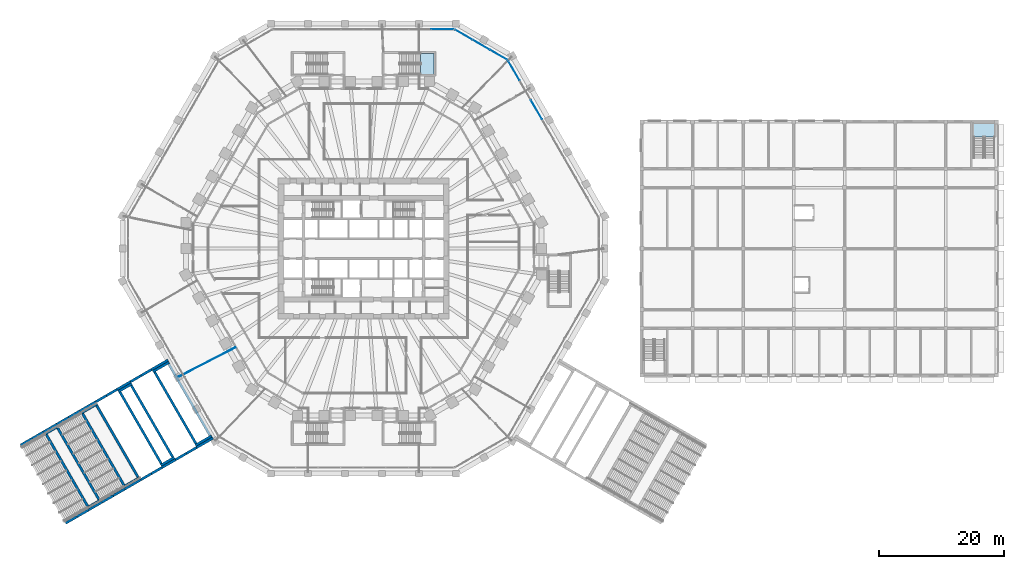
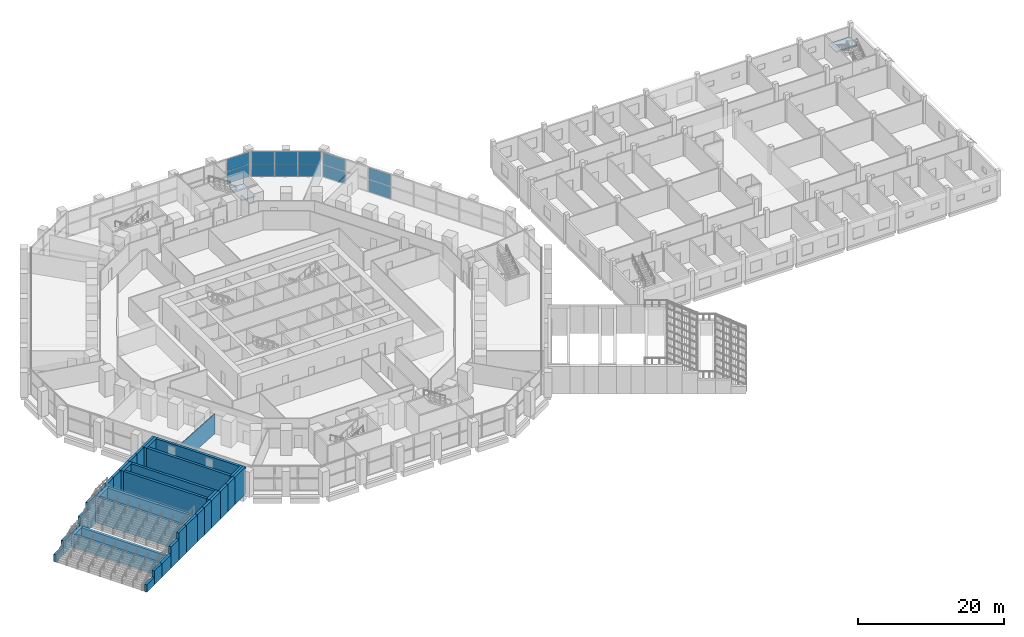
# One storey, part 18 of 38: 41 walls, 12 plates, 2 slabs, 5 elements without a shape of their own.
"""IFC4 building model written with IfcOpenShell, lengths in metres."""

from ifc_helpers import new_model, si_unit, direction, frame, frame_2d, origin, origin_2d, place, context, subcontext, project, spatial, polyline, rectangle, outline, extrude, material, layer, layer_set, type_object, element, aggregate, save


model = new_model("IFC4")

# Units and contexts
model_context = context("Model", 3, precision=1e-05, world=origin(), true_north=direction((0.0, 1.0)))
body_context = subcontext(model_context, "Body", "Model", "MODEL_VIEW")
ifc_project = project(units=[si_unit("LENGTHUNIT", "METRE"), si_unit("AREAUNIT", "SQUARE_METRE"), si_unit("VOLUMEUNIT", "CUBIC_METRE"), si_unit("PLANEANGLEUNIT", "RADIAN"), si_unit("MASSUNIT", "GRAM", prefix="KILO")], contexts=[model_context])

# Site, building, storey
site_placement = place(None, origin())
site = spatial("IfcSite", under=ifc_project, at=site_placement, CompositionType="ELEMENT")
building_placement = place(site_placement, origin())
building = spatial("IfcBuilding", under=site, at=building_placement, Name="Frailejon Research Tower", CompositionType="ELEMENT")
storey_placement = place(building_placement, frame((0.0, 0.0, 5.60009765625)))
storey = spatial("IfcBuildingStorey", under=building, at=storey_placement, Name="L01", CompositionType="ELEMENT", Elevation=5.60009765625)

# Stair, slab
ifc_material_1 = material(Name="Concrete C35/45", Category="concrete")
stair_type_1 = type_object("IfcStairType", Name="HC stair", PredefinedType="HALF_TURN_STAIR", material=ifc_material_1)
stair_1_placement = place(storey_placement, origin())
stair_1 = element("IfcStair", 1, at=stair_1_placement, inside=storey, type_object=stair_type_1, Name="L01 HC stair B", PredefinedType="HALF_TURN_STAIR")
ifc_material_2 = material(Name="Concrete C35/45", Category="concrete")
ifc_layer_1 = layer(ifc_material_2, 0.199951171875)
ifc_layer_set_1 = layer_set([ifc_layer_1], Name="HC stair landing")
slab_type_1 = type_object("IfcSlabType", Name="HC stair landing", PredefinedType="LANDING", material=ifc_layer_set_1)
slab_1_placement = place(storey_placement, frame((0.0, 0.0, 2.099853515625)))
slab_1 = element("IfcSlab", 2, at=slab_1_placement, type_object=slab_type_1, Name="HS-B landing 1", PredefinedType="LANDING", context=body_context, shape_type="SweptSolid", body=[
    extrude(outline(polyline([(100.89990234375, 17.860107421875), (100.89990234375, 20.02001953125), (97.550048828125, 20.02001953125), (97.550048828125, 17.860107421875), (100.89990234375, 17.860107421875)])), origin(), (0.0, 0.0, 1.0), 0.199951171875),
])
aggregate(stair_1, [slab_1])

# Curtain wall, plates
ifc_material_3 = material(Name="Aluminium curtain wall", Category="aluminium")
curtain_wall_type = type_object("IfcCurtainWallType", Name="Podium stick curtain wall system", PredefinedType="NOTDEFINED", material=ifc_material_3)
curtain_wall_1_placement = place(storey_placement, origin())
curtain_wall_1 = element("IfcCurtainWall", 3, at=curtain_wall_1_placement, inside=storey, type_object=curtain_wall_type, Name="Curtain wall L01", PredefinedType="NOTDEFINED")
ifc_material_4 = material(Name="Clear laminated glass", Category="glass")
ifc_layer_2 = layer(ifc_material_4, 0.031982421875)
ifc_layer_set_2 = layer_set([ifc_layer_2], Name="Podium stick curtain wall glass panel 32")
plate_type = type_object("IfcPlateType", Name="Podium stick curtain wall glass panel 32", PredefinedType="CURTAIN_PANEL", material=ifc_layer_set_2)
plate_1_placement = place(storey_placement, frame((27.648681640625, 22.211181640625, 0.059814453125), z_axis=(0.0, 0.0, 1.0), x_axis=(-0.499998396888, 0.86602632934, 0.0)))
plate_1 = element("IfcPlate", 4, at=plate_1_placement, type_object=plate_type, Name="CW2-022 panel 6.1", PredefinedType="CURTAIN_PANEL", context=body_context, shape_type="SweptSolid", body=[
    extrude(rectangle(XDim=3.547607421875, YDim=0.031982421875, at=origin_2d()), origin(), (0.0, 0.0, 1.0), 2.06005859375),
])
plate_2_placement = place(storey_placement, frame((27.648681640625, 22.211181640625, 2.1796875), z_axis=(0.0, 0.0, 1.0), x_axis=(-0.499998396888, 0.86602632934, 0.0)))
plate_2 = element("IfcPlate", 5, at=plate_2_placement, type_object=plate_type, Name="CW2-022 panel 6.2", PredefinedType="CURTAIN_PANEL", context=body_context, shape_type="SweptSolid", body=[
    extrude(rectangle(XDim=3.547607421875, YDim=0.031982421875, at=origin_2d()), origin(), (0.0, 0.0, 1.0), 2.010009765625),
])
plate_3_placement = place(storey_placement, frame((24.048583984375, 28.44677734375, 0.059814453125), z_axis=(0.0, 0.0, 1.0), x_axis=(-0.499998396888, 0.86602632934, 0.0)))
plate_3 = element("IfcPlate", 6, at=plate_3_placement, type_object=plate_type, Name="CW2-022 panel 8.1", PredefinedType="CURTAIN_PANEL", context=body_context, shape_type="SweptSolid", body=[
    extrude(rectangle(XDim=3.517578125, YDim=0.031982421875, at=origin_2d()), origin(), (0.0, 0.0, 1.0), 2.06005859375),
])
plate_4_placement = place(storey_placement, frame((24.048583984375, 28.44677734375, 2.1796875), z_axis=(0.0, 0.0, 1.0), x_axis=(-0.499998396888, 0.86602632934, 0.0)))
plate_4 = element("IfcPlate", 7, at=plate_4_placement, type_object=plate_type, Name="CW2-022 panel 8.2", PredefinedType="CURTAIN_PANEL", context=body_context, shape_type="SweptSolid", body=[
    extrude(rectangle(XDim=3.517578125, YDim=0.031982421875, at=origin_2d()), origin(), (0.0, 0.0, 1.0), 2.010009765625),
])
aggregate(curtain_wall_1, [plate_1, plate_2, plate_3, plate_4])

curtain_wall_2_placement = place(storey_placement, origin())
curtain_wall_2 = element("IfcCurtainWall", 8, at=curtain_wall_2_placement, inside=storey, type_object=curtain_wall_type, Name="Curtain wall L01", PredefinedType="NOTDEFINED")
plate_5_placement = place(storey_placement, frame((21.592041015625, 30.972900390625, 0.059814453125), z_axis=(0.0, 0.0, 1.0), x_axis=(-0.866025476338, 0.499999874334, 0.0)))
plate_5 = element("IfcPlate", 9, at=plate_5_placement, type_object=plate_type, Name="CW2-023 panel 1.1", PredefinedType="CURTAIN_PANEL", context=body_context, shape_type="SweptSolid", body=[
    extrude(rectangle(XDim=3.1376953125, YDim=0.031982421875, at=origin_2d()), origin(), (0.0, 0.0, 1.0), 2.06005859375),
])
plate_6_placement = place(storey_placement, frame((21.592041015625, 30.972900390625, 2.1796875), z_axis=(0.0, 0.0, 1.0), x_axis=(-0.866025476338, 0.499999874334, 0.0)))
plate_6 = element("IfcPlate", 10, at=plate_6_placement, type_object=plate_type, Name="CW2-023 panel 1.2", PredefinedType="CURTAIN_PANEL", context=body_context, shape_type="SweptSolid", body=[
    extrude(rectangle(XDim=3.1376953125, YDim=0.031982421875, at=origin_2d()), origin(), (0.0, 0.0, 1.0), 2.010009765625),
])
plate_7_placement = place(storey_placement, frame((18.8095703125, 32.5791015625, 0.059814453125), z_axis=(0.0, 0.0, 1.0), x_axis=(-0.866025476338, 0.499999874334, 0.0)))
plate_7 = element("IfcPlate", 11, at=plate_7_placement, type_object=plate_type, Name="CW2-023 panel 2.1", PredefinedType="CURTAIN_PANEL", context=body_context, shape_type="SweptSolid", body=[
    extrude(rectangle(XDim=3.167724609375, YDim=0.031982421875, at=origin_2d()), origin(), (0.0, 0.0, 1.0), 2.06005859375),
])
plate_8_placement = place(storey_placement, frame((18.8095703125, 32.5791015625, 2.1796875), z_axis=(0.0, 0.0, 1.0), x_axis=(-0.866025476338, 0.499999874334, 0.0)))
plate_8 = element("IfcPlate", 12, at=plate_8_placement, type_object=plate_type, Name="CW2-023 panel 2.2", PredefinedType="CURTAIN_PANEL", context=body_context, shape_type="SweptSolid", body=[
    extrude(rectangle(XDim=3.167724609375, YDim=0.031982421875, at=origin_2d()), origin(), (0.0, 0.0, 1.0), 2.010009765625),
])
plate_9_placement = place(storey_placement, frame((16.02734375, 34.185546875, 0.059814453125), z_axis=(0.0, 0.0, 1.0), x_axis=(-0.866025476338, 0.499999874334, 0.0)))
plate_9 = element("IfcPlate", 13, at=plate_9_placement, type_object=plate_type, Name="CW2-023 panel 3.1", PredefinedType="CURTAIN_PANEL", context=body_context, shape_type="SweptSolid", body=[
    extrude(rectangle(XDim=3.1376953125, YDim=0.031982421875, at=origin_2d()), origin(), (0.0, 0.0, 1.0), 2.06005859375),
])
plate_10_placement = place(storey_placement, frame((16.02734375, 34.185546875, 2.1796875), z_axis=(0.0, 0.0, 1.0), x_axis=(-0.866025476338, 0.499999874334, 0.0)))
plate_10 = element("IfcPlate", 14, at=plate_10_placement, type_object=plate_type, Name="CW2-023 panel 3.2", PredefinedType="CURTAIN_PANEL", context=body_context, shape_type="SweptSolid", body=[
    extrude(rectangle(XDim=3.1376953125, YDim=0.031982421875, at=origin_2d()), origin(), (0.0, 0.0, 1.0), 2.010009765625),
])
aggregate(curtain_wall_2, [plate_5, plate_6, plate_7, plate_8, plate_9, plate_10])

curtain_wall_3_placement = place(storey_placement, origin())
curtain_wall_3 = element("IfcCurtainWall", 15, at=curtain_wall_3_placement, inside=storey, type_object=curtain_wall_type, Name="Curtain wall L01", PredefinedType="NOTDEFINED")
plate_11_placement = place(storey_placement, frame((12.611328125, 35.050048828125, 0.059814453125), z_axis=(0.0, 0.0, 1.0), x_axis=(-1.0, 0.0, 0.0)))
plate_11 = element("IfcPlate", 16, at=plate_11_placement, type_object=plate_type, Name="CW2-024 panel 1.1", PredefinedType="CURTAIN_PANEL", context=body_context, shape_type="SweptSolid", body=[
    extrude(rectangle(XDim=3.517578125, YDim=0.031982421875, at=origin_2d()), origin(), (0.0, 0.0, 1.0), 2.06005859375),
])
plate_12_placement = place(storey_placement, frame((12.611328125, 35.050048828125, 2.1796875), z_axis=(0.0, 0.0, 1.0), x_axis=(-1.0, 0.0, 0.0)))
plate_12 = element("IfcPlate", 17, at=plate_12_placement, type_object=plate_type, Name="CW2-024 panel 1.2", PredefinedType="CURTAIN_PANEL", context=body_context, shape_type="SweptSolid", body=[
    extrude(rectangle(XDim=3.517578125, YDim=0.031982421875, at=origin_2d()), origin(), (0.0, 0.0, 1.0), 2.010009765625),
])
aggregate(curtain_wall_3, [plate_11, plate_12])

# Stair, slab
ifc_material_5 = material(Name="Concrete C50/60", Category="concrete")
stair_type_2 = type_object("IfcStairType", Name="Exit stair 26 risers", PredefinedType="HALF_TURN_STAIR", material=ifc_material_5)
stair_2_placement = place(storey_placement, origin())
stair_2 = element("IfcStair", 18, at=stair_2_placement, inside=storey, type_object=stair_type_2, Name="L01 Exit stair PS2", PredefinedType="HALF_TURN_STAIR")
ifc_material_6 = material(Name="Concrete C50/60", Category="concrete")
ifc_layer_3 = layer(ifc_material_6, 0.199951171875)
ifc_layer_set_3 = layer_set([ifc_layer_3], Name="Stair landing slab 200")
slab_type_2 = type_object("IfcSlabType", Name="Stair landing slab 200", PredefinedType="LANDING", material=ifc_layer_set_3)
slab_2_placement = place(storey_placement, frame((0.0, 0.0, 2.099853515625)))
slab_2 = element("IfcSlab", 19, at=slab_2_placement, type_object=slab_type_2, Name="PS2 landing 1", PredefinedType="LANDING", context=body_context, shape_type="SweptSolid", body=[
    extrude(outline(polyline([(9.116943359375, 27.875), (11.27685546875, 27.875), (11.27685546875, 31.22509765625), (9.116943359375, 31.22509765625), (9.116943359375, 27.875)])), origin(), (0.0, 0.0, 1.0), 0.199951171875),
])
aggregate(stair_2, [slab_2])

# Walls
ifc_material_7 = material(Name="Gypsum board and masonry partition", Category="masonry")
ifc_layer_4 = layer(ifc_material_7, 0.10009765625)
ifc_layer_set_4 = layer_set([ifc_layer_4], Name="Partition, gypsum on steel studs 100")
wall_type_1 = type_object("IfcWallType", Name="Partition, gypsum on steel studs 100", PredefinedType="PARTITIONING", material=ifc_layer_set_4)
wall_1_placement = place(storey_placement, frame((-29.5205078125, -20.468994140625, 0.0), z_axis=(0.0, 0.0, 1.0), x_axis=(0.888930498325, 0.458042104122, 0.0)))
element("IfcWall", 20, at=wall_1_placement, inside=storey, type_object=wall_type_1, Name="T:IW:L01:082", PredefinedType="PARTITIONING", context=body_context, shape_type="SweptSolid", body=[
    extrude(rectangle(XDim=10.186767578125, YDim=0.10009765625, at=frame_2d((5.09326171875, 0.0))), origin(), (0.0, 0.0, 1.0), 3.349853515625),
])
ifc_material_8 = material(Name="Concrete C35/45", Category="concrete")
ifc_layer_5 = layer(ifc_material_8, 0.39990234375)
ifc_layer_set_5 = layer_set([ifc_layer_5], Name="Stair plinth wall 400")
wall_type_2 = type_object("IfcWallType", Name="Stair plinth wall 400", PredefinedType="SOLIDWALL", material=ifc_layer_set_5)
for number, where, z_axis, x_axis, name in (
    (21, (-31.076904296875, -18.173095703125, 0.0), (0.0, 0.0, 1.0), (-0.866031096941, -0.499990139034, 0.0), "Broad stair W plinth"),
    (22, (-24.27685546875, -29.951171875, 0.0), (0.0, 0.0, 1.0), (-0.866031096941, -0.499990139034, 0.0), "Broad stair W plinth"),
):
    element("IfcWall", number, at=place(storey_placement, frame(where, z_axis=z_axis, x_axis=x_axis)), inside=storey, type_object=wall_type_2, Name=name, PredefinedType="SOLIDWALL", context=body_context, shape_type="SweptSolid", body=[
        extrude(rectangle(XDim=3.0, YDim=0.39990234375, at=frame_2d((1.5, 0.0))), origin(), (0.0, 0.0, 1.0), 4.599853515625),
    ])
for number, where, z_axis, x_axis, name in (
    (23, (-31.150146484375, -18.4462890625, 0.0), (0.0, 0.0, 1.0), (0.500002094529, -0.866024194504, 0.0), "Broad stair W plinth"),
    (24, (-33.40185546875, -19.746337890625, 0.0), (0.0, 0.0, 1.0), (0.500002094529, -0.866024194504, 0.0), "Broad stair W plinth"),
):
    element("IfcWall", number, at=place(storey_placement, frame(where, z_axis=z_axis, x_axis=x_axis)), inside=storey, type_object=wall_type_2, Name=name, PredefinedType="SOLIDWALL", context=body_context, shape_type="SweptSolid", body=[
        extrude(rectangle(XDim=13.2001953125, YDim=0.39990234375, at=frame_2d((6.60009765625, 0.0))), origin(), (0.0, 0.0, 1.0), 4.599853515625),
    ])
for number, where, z_axis, x_axis, name in (
    (25, (-37.052490234375, -21.623291015625, 0.0), (0.0, 0.0, 1.0), (-0.866022959057, -0.500004234368, 0.0), "Broad stair W plinth"),
    (26, (-30.25244140625, -33.401123046875, 0.0), (0.0, 0.0, 1.0), (-0.866022959057, -0.500004234368, 0.0), "Broad stair W plinth"),
):
    element("IfcWall", number, at=place(storey_placement, frame(where, z_axis=z_axis, x_axis=x_axis)), inside=storey, type_object=wall_type_2, Name=name, PredefinedType="SOLIDWALL", context=body_context, shape_type="SweptSolid", body=[
        extrude(rectangle(XDim=2.5, YDim=0.39990234375, at=frame_2d((1.25, 0.0))), origin(), (0.0, 0.0, 1.0), 4.599853515625),
    ])
wall_2_placement = place(storey_placement, frame((-37.125732421875, -21.896484375, 0.0), z_axis=(0.0, 0.0, 1.0), x_axis=(0.500010103361, -0.866019570528, 0.0)))
element("IfcWall", 27, at=wall_2_placement, inside=storey, type_object=wall_type_2, Name="Broad stair W plinth", PredefinedType="SOLIDWALL", context=body_context, shape_type="SweptSolid", body=[
    extrude(rectangle(XDim=13.199951171875, YDim=0.39990234375, at=frame_2d((6.60009765625, 0.0))), origin(), (0.0, 0.0, 1.0), 4.599853515625),
])
wall_3_placement = place(storey_placement, frame((-38.9443359375, -22.9462890625, 0.0), z_axis=(0.0, 0.0, 1.0), x_axis=(0.500002094529, -0.866024194504, 0.0)))
element("IfcWall", 28, at=wall_3_placement, inside=storey, type_object=wall_type_2, Name="Broad stair W plinth", PredefinedType="SOLIDWALL", context=body_context, shape_type="SweptSolid", body=[
    extrude(rectangle(XDim=13.2001953125, YDim=0.39990234375, at=frame_2d((6.60009765625, 0.0))), origin(), (0.0, 0.0, 1.0), 4.599853515625),
])
for number, where, z_axis, x_axis, name in (
    (29, (-42.59521484375, -24.8232421875, 0.0), (0.0, 0.0, 1.0), (-0.866010750942, -0.50002537861, 0.0), "Broad stair W plinth"),
    (30, (-35.795166015625, -36.601318359375, 0.0), (0.0, 0.0, 1.0), (-0.866010750942, -0.50002537861, 0.0), "Broad stair W plinth"),
):
    element("IfcWall", number, at=place(storey_placement, frame(where, z_axis=z_axis, x_axis=x_axis)), inside=storey, type_object=wall_type_2, Name=name, PredefinedType="SOLIDWALL", context=body_context, shape_type="SweptSolid", body=[
        extrude(rectangle(XDim=2.999755859375, YDim=0.39990234375, at=frame_2d((1.5, 0.0))), origin(), (0.0, 0.0, 1.0), 4.39990234375),
    ])
wall_4_placement = place(storey_placement, frame((-42.668212890625, -25.096435546875, 0.0), z_axis=(0.0, 0.0, 1.0), x_axis=(0.499996231654, -0.866027579429, 0.0)))
element("IfcWall", 31, at=wall_4_placement, inside=storey, type_object=wall_type_2, Name="Broad stair W plinth", PredefinedType="SOLIDWALL", context=body_context, shape_type="SweptSolid", body=[
    extrude(rectangle(XDim=13.19970703125, YDim=0.39990234375, at=frame_2d((6.599853515625, 0.0))), origin(), (0.0, 0.0, 1.0), 4.39990234375),
])
wall_5_placement = place(storey_placement, frame((-44.919921875, -26.396484375, 0.0), z_axis=(0.0, 0.0, 1.0), x_axis=(0.500010103361, -0.866019570528, 0.0)))
element("IfcWall", 32, at=wall_5_placement, inside=storey, type_object=wall_type_2, Name="Broad stair W plinth", PredefinedType="SOLIDWALL", context=body_context, shape_type="SweptSolid", body=[
    extrude(rectangle(XDim=13.199951171875, YDim=0.39990234375, at=frame_2d((6.60009765625, 0.0))), origin(), (0.0, 0.0, 1.0), 4.39990234375),
])
wall_6_placement = place(storey_placement, frame((-48.830322265625, -28.423095703125, 0.0), z_axis=(0.0, 0.0, 1.0), x_axis=(-0.866047370643, -0.499961950354, 0.0)))
element("IfcWall", 33, at=wall_6_placement, inside=storey, type_object=wall_type_2, Name="Broad stair W plinth", PredefinedType="SOLIDWALL", context=body_context, shape_type="SweptSolid", body=[
    extrude(rectangle(XDim=2.500244140625, YDim=0.39990234375, at=frame_2d((1.25, 0.0))), origin(), (0.0, 0.0, 1.0), 2.099853515625),
])
wall_7_placement = place(storey_placement, frame((-42.030517578125, -40.201171875, 0.0), z_axis=(0.0, 0.0, 1.0), x_axis=(-0.866022959057, -0.500004234368, 0.0)))
element("IfcWall", 34, at=wall_7_placement, inside=storey, type_object=wall_type_2, Name="Broad stair W plinth", PredefinedType="SOLIDWALL", context=body_context, shape_type="SweptSolid", body=[
    extrude(rectangle(XDim=2.5, YDim=0.39990234375, at=frame_2d((1.25, 0.0))), origin(), (0.0, 0.0, 1.0), 2.099853515625),
])
wall_8_placement = place(storey_placement, frame((-48.903564453125, -28.6962890625, 0.0), z_axis=(0.0, 0.0, 1.0), x_axis=(0.499988222896, -0.866032203192, 0.0)))
element("IfcWall", 35, at=wall_8_placement, inside=storey, type_object=wall_type_2, Name="Broad stair W plinth", PredefinedType="SOLIDWALL", context=body_context, shape_type="SweptSolid", body=[
    extrude(rectangle(XDim=13.199951171875, YDim=0.39990234375, at=frame_2d((6.60009765625, 0.0))), origin(), (0.0, 0.0, 1.0), 2.099853515625),
])
wall_9_placement = place(storey_placement, frame((-50.722412109375, -29.746337890625, 0.0), z_axis=(0.0, 0.0, 1.0), x_axis=(0.500002094529, -0.866024194504, 0.0)))
element("IfcWall", 36, at=wall_9_placement, inside=storey, type_object=wall_type_2, Name="Broad stair W plinth", PredefinedType="SOLIDWALL", context=body_context, shape_type="SweptSolid", body=[
    extrude(rectangle(XDim=13.2001953125, YDim=0.39990234375, at=frame_2d((6.60009765625, 0.0))), origin(), (0.0, 0.0, 1.0), 2.099853515625),
])
for number, where, z_axis, x_axis, name in (
    (37, (-31.27685546875, -17.826904296875, 0.0), (0.0, 0.0, 1.0), (-0.866031096941, -0.499990139034, 0.0), "Broad stair W cheek wall"),
    (38, (-24.076904296875, -30.297607421875, 0.0), (0.0, 0.0, 1.0), (-0.866031096941, -0.499990139034, 0.0), "Broad stair W cheek wall"),
):
    element("IfcWall", number, at=place(storey_placement, frame(where, z_axis=z_axis, x_axis=x_axis)), inside=storey, type_object=wall_type_2, Name=name, PredefinedType="SOLIDWALL", context=body_context, shape_type="SweptSolid", body=[
        extrude(rectangle(XDim=3.0, YDim=0.39990234375, at=frame_2d((1.5, 0.0))), origin(), (0.0, 0.0, 1.0), 4.599853515625),
    ])
for number, where, z_axis, x_axis, name in (
    (39, (-33.875, -19.326904296875, 0.0), (0.0, 0.0, 1.0), (-0.866054235095, -0.49995005938, 0.0), "Broad stair W cheek wall"),
    (40, (-26.675048828125, -31.797607421875, 0.0), (0.0, 0.0, 1.0), (-0.866000020948, -0.500043961785, 0.0), "Broad stair W cheek wall"),
    (41, (-35.563720703125, -20.3017578125, 0.0), (0.0, 0.0, 1.0), (-0.866000020948, -0.500043961785, 0.0), "Broad stair W cheek wall"),
    (42, (-28.36376953125, -32.772705078125, 0.0), (0.0, 0.0, 1.0), (-0.866054235095, -0.49995005938, 0.0), "Broad stair W cheek wall"),
):
    element("IfcWall", number, at=place(storey_placement, frame(where, z_axis=z_axis, x_axis=x_axis)), inside=storey, type_object=wall_type_2, Name=name, PredefinedType="SOLIDWALL", context=body_context, shape_type="SweptSolid", body=[
        extrude(rectangle(XDim=1.949951171875, YDim=0.39990234375, at=frame_2d((0.97509765625, 0.0))), origin(), (0.0, 0.0, 1.0), 4.599853515625),
    ])
for number, where, z_axis, x_axis, name in (
    (43, (-37.25244140625, -21.27685546875, 0.0), (0.0, 0.0, 1.0), (-0.866022959057, -0.500004234368, 0.0), "Broad stair W cheek wall"),
    (44, (-30.052490234375, -33.74755859375, 0.0), (0.0, 0.0, 1.0), (-0.866022959057, -0.500004234368, 0.0), "Broad stair W cheek wall"),
):
    element("IfcWall", number, at=place(storey_placement, frame(where, z_axis=z_axis, x_axis=x_axis)), inside=storey, type_object=wall_type_2, Name=name, PredefinedType="SOLIDWALL", context=body_context, shape_type="SweptSolid", body=[
        extrude(rectangle(XDim=2.5, YDim=0.39990234375, at=frame_2d((1.25, 0.0))), origin(), (0.0, 0.0, 1.0), 4.599853515625),
    ])
for number, where, z_axis, x_axis, name in (
    (45, (-39.41748046875, -22.52685546875, 0.0), (0.0, 0.0, 1.0), (-0.866054235095, -0.49995005938, 0.0), "Broad stair W cheek wall"),
    (46, (-32.217529296875, -34.99755859375, 0.0), (0.0, 0.0, 1.0), (-0.866000020948, -0.500043961785, 0.0), "Broad stair W cheek wall"),
):
    element("IfcWall", number, at=place(storey_placement, frame(where, z_axis=z_axis, x_axis=x_axis)), inside=storey, type_object=wall_type_2, Name=name, PredefinedType="SOLIDWALL", context=body_context, shape_type="SweptSolid", body=[
        extrude(rectangle(XDim=1.949951171875, YDim=0.39990234375, at=frame_2d((0.97509765625, 0.0))), origin(), (0.0, 0.0, 1.0), 4.599853515625),
    ])
for number, where, z_axis, x_axis, name in (
    (47, (-41.106201171875, -23.501708984375, 0.0), (0.0, 0.0, 1.0), (-0.866031321059, -0.49998975084, 0.0), "Broad stair W cheek wall"),
    (48, (-33.90625, -35.97265625, 0.0), (0.0, 0.0, 1.0), (-0.866085525409, -0.49989585183, 0.0), "Broad stair W cheek wall"),
):
    element("IfcWall", number, at=place(storey_placement, frame(where, z_axis=z_axis, x_axis=x_axis)), inside=storey, type_object=wall_type_2, Name=name, PredefinedType="SOLIDWALL", context=body_context, shape_type="SweptSolid", body=[
        extrude(rectangle(XDim=1.9501953125, YDim=0.39990234375, at=frame_2d((0.97509765625, 0.0))), origin(), (0.0, 0.0, 1.0), 4.599853515625),
    ])
for number, where, z_axis, x_axis, name in (
    (49, (-42.795166015625, -24.476806640625, 0.0), (0.0, 0.0, 1.0), (-0.866010750942, -0.50002537861, 0.0), "Broad stair W cheek wall"),
    (50, (-35.59521484375, -36.947509765625, 0.0), (0.0, 0.0, 1.0), (-0.866010750942, -0.50002537861, 0.0), "Broad stair W cheek wall"),
):
    element("IfcWall", number, at=place(storey_placement, frame(where, z_axis=z_axis, x_axis=x_axis)), inside=storey, type_object=wall_type_2, Name=name, PredefinedType="SOLIDWALL", context=body_context, shape_type="SweptSolid", body=[
        extrude(rectangle(XDim=2.999755859375, YDim=0.39990234375, at=frame_2d((1.5, 0.0))), origin(), (0.0, 0.0, 1.0), 4.599853515625),
    ])
for number, where, z_axis, x_axis, name in (
    (51, (-45.39306640625, -25.976806640625, 0.0), (0.0, 0.0, 1.0), (-0.866038466041, -0.499977374825, 0.0), "Broad stair W cheek wall"),
    (52, (-38.193115234375, -38.447509765625, 0.0), (0.0, 0.0, 1.0), (-0.866009402589, -0.500027713859, 0.0), "Broad stair W cheek wall"),
):
    element("IfcWall", number, at=place(storey_placement, frame(where, z_axis=z_axis, x_axis=x_axis)), inside=storey, type_object=wall_type_2, Name=name, PredefinedType="SOLIDWALL", context=body_context, shape_type="SweptSolid", body=[
        extrude(rectangle(XDim=2.10009765625, YDim=0.39990234375, at=frame_2d((1.050048828125, 0.0))), origin(), (0.0, 0.0, 1.0), 4.599853515625),
    ])
for number, where, z_axis, x_axis, name in (
    (53, (-47.2119140625, -27.02685546875, 0.0), (0.0, 0.0, 1.0), (-0.866009402589, -0.500027713859, 0.0), "Broad stair W cheek wall"),
    (54, (-40.01171875, -39.49755859375, 0.0), (0.0, 0.0, 1.0), (-0.866009402589, -0.500027713859, 0.0), "Broad stair W cheek wall"),
):
    element("IfcWall", number, at=place(storey_placement, frame(where, z_axis=z_axis, x_axis=x_axis)), inside=storey, type_object=wall_type_2, Name=name, PredefinedType="SOLIDWALL", context=body_context, shape_type="SweptSolid", body=[
        extrude(rectangle(XDim=2.10009765625, YDim=0.39990234375, at=frame_2d((1.050048828125, 0.0))), origin(), (0.0, 0.0, 1.0), 3.526611328125),
    ])
wall_10_placement = place(storey_placement, frame((-49.030517578125, -28.076904296875, 0.0), z_axis=(0.0, 0.0, 1.0), x_axis=(-0.866022959057, -0.500004234368, 0.0)))
element("IfcWall", 55, at=wall_10_placement, inside=storey, type_object=wall_type_2, Name="Broad stair W cheek wall", PredefinedType="SOLIDWALL", context=body_context, shape_type="SweptSolid", body=[
    extrude(rectangle(XDim=2.5, YDim=0.39990234375, at=frame_2d((1.25, 0.0))), origin(), (0.0, 0.0, 1.0), 2.2998046875),
])
wall_11_placement = place(storey_placement, frame((-41.830322265625, -40.547607421875, 0.0), z_axis=(0.0, 0.0, 1.0), x_axis=(-0.866047370643, -0.499961950354, 0.0)))
element("IfcWall", 56, at=wall_11_placement, inside=storey, type_object=wall_type_2, Name="Broad stair W cheek wall", PredefinedType="SOLIDWALL", context=body_context, shape_type="SweptSolid", body=[
    extrude(rectangle(XDim=2.500244140625, YDim=0.39990234375, at=frame_2d((1.25, 0.0))), origin(), (0.0, 0.0, 1.0), 2.2998046875),
])
wall_12_placement = place(storey_placement, frame((-51.195556640625, -29.326904296875, 0.0), z_axis=(0.0, 0.0, 1.0), x_axis=(-0.866059744384, -0.49994051562, 0.0)))
element("IfcWall", 57, at=wall_12_placement, inside=storey, type_object=wall_type_2, Name="Broad stair W cheek wall", PredefinedType="SOLIDWALL", context=body_context, shape_type="SweptSolid", body=[
    extrude(rectangle(XDim=2.099853515625, YDim=0.39990234375, at=frame_2d((1.0498046875, 0.0))), origin(), (0.0, 0.0, 1.0), 2.2998046875),
])
wall_13_placement = place(storey_placement, frame((-43.99560546875, -41.797607421875, 0.0), z_axis=(0.0, 0.0, 1.0), x_axis=(-0.866009402589, -0.500027713859, 0.0)))
element("IfcWall", 58, at=wall_13_placement, inside=storey, type_object=wall_type_2, Name="Broad stair W cheek wall", PredefinedType="SOLIDWALL", context=body_context, shape_type="SweptSolid", body=[
    extrude(rectangle(XDim=2.10009765625, YDim=0.39990234375, at=frame_2d((1.050048828125, 0.0))), origin(), (0.0, 0.0, 1.0), 2.2998046875),
])
for number, where, z_axis, x_axis, name in (
    (59, (-53.01416015625, -30.376708984375, 0.0), (0.0, 0.0, 1.0), (-0.866009402589, -0.500027713859, 0.0), "Broad stair W cheek wall"),
    (60, (-45.814208984375, -42.84765625, 0.0), (0.0, 0.0, 1.0), (-0.866009402589, -0.500027713859, 0.0), "Broad stair W cheek wall"),
):
    element("IfcWall", number, at=place(storey_placement, frame(where, z_axis=z_axis, x_axis=x_axis)), inside=storey, type_object=wall_type_2, Name=name, PredefinedType="SOLIDWALL", context=body_context, shape_type="SweptSolid", body=[
        extrude(rectangle(XDim=2.10009765625, YDim=0.39990234375, at=frame_2d((1.050048828125, 0.0))), origin(), (0.0, 0.0, 1.0), 1.2265625),
    ])

save(model, "model.ifc")
